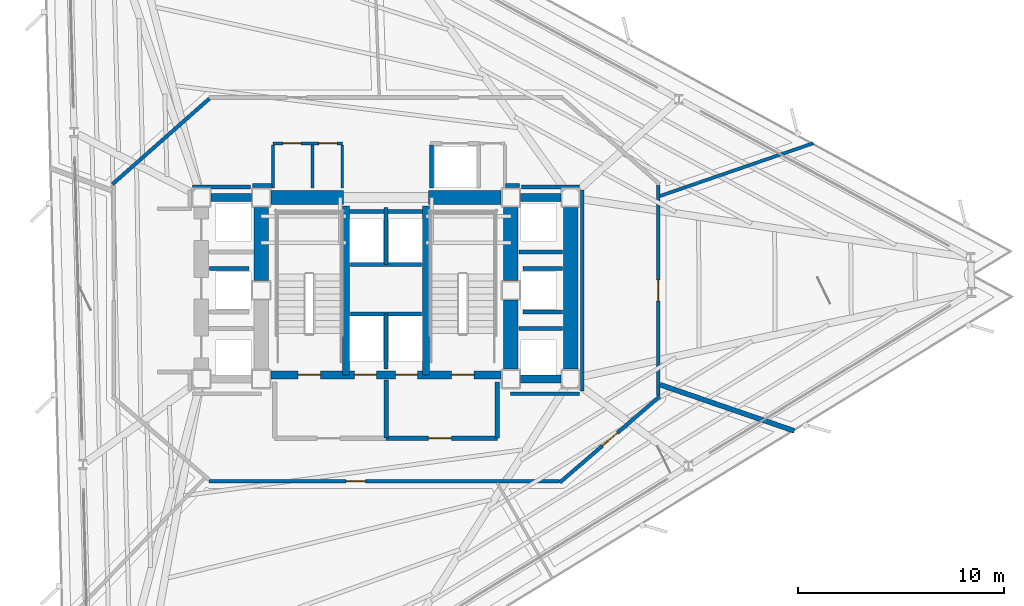
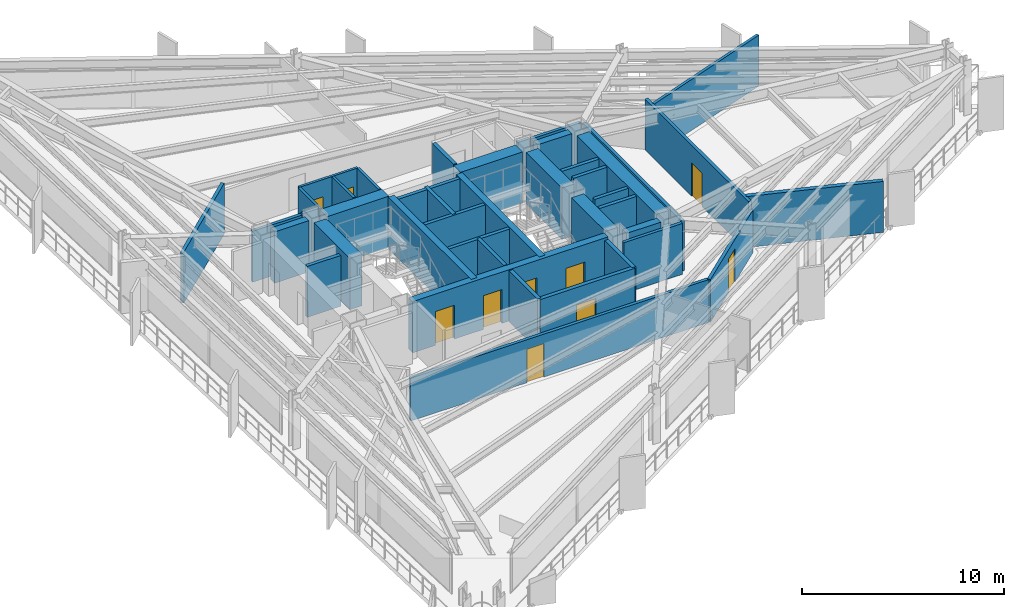
# One storey, part 8 of 14: 42 walls, 10 doors, 10 openings.
"""IFC4 building model written with IfcOpenShell, lengths in metres."""

import ifcopenshell
import ifcopenshell.guid

model = None  # the IFC model being written
_history = None  # IfcOwnerHistory: only IFC2X3 demands one
_inside = {}  # id of a spatial element -> (the spatial element, [elements in it])
_under = {}  # id of a project, library or spatial element -> (it, [spatial elements below it])
_declared = {}  # id of a project -> (the project, [libraries it declares])
_typed = {}  # id of a type object -> (the type object, [elements of that type])
_made_of = {}  # id of a material, layer set ... -> (it, [elements and type objects made of it])


def new_model(schema):
    """Start an empty IFC model of exactly this schema.

    Asked for "IFC4X3", IfcOpenShell would pick the latest addendum, in which some entities
    have other attributes; the version numbers below select the first issue.
    IFC2X3 requires an IfcOwnerHistory on every rooted entity: one is made here for all.
    """
    global model, _history
    if schema == "IFC4X3":
        model = ifcopenshell.file(schema_version=(4, 3, 0, 0))
    else:
        model = ifcopenshell.file(schema=schema)
    _inside.clear()
    _under.clear()
    _declared.clear()
    _typed.clear()
    _made_of.clear()
    _history = None
    if model.schema == "IFC2X3":
        org = make("IfcOrganization", Name="unknown")
        user = make(
            "IfcPersonAndOrganization",
            ThePerson=make("IfcPerson", FamilyName="unknown"),
            TheOrganization=org,
        )
        app = make(
            "IfcApplication",
            ApplicationDeveloper=org,
            Version="unknown",
            ApplicationFullName="unknown",
            ApplicationIdentifier="unknown",
        )
        _history = make(
            "IfcOwnerHistory",
            OwningUser=user,
            OwningApplication=app,
            ChangeAction="ADDED",
            CreationDate=0,
        )
    return model


def make(cls, **values):
    """One entity of the class cls with the attributes given. An attribute that is None is left unset."""
    return model.create_entity(
        cls, **{name: value for name, value in values.items() if value is not None}
    )


def rooted(cls, **values):
    """An entity with a GlobalId (a new one), such as an element, a storey or a relation."""
    return make(cls, GlobalId=ifcopenshell.guid.new(), OwnerHistory=_history, **values)


def si_unit(unit_type, name, prefix=None):
    """IfcSIUnit, for example si_unit("LENGTHUNIT", "METRE", prefix="MILLI")."""
    return make("IfcSIUnit", UnitType=unit_type, Prefix=prefix, Name=name)


def assignment(units):
    """IfcUnitAssignment: the units of a project."""
    return None if units is None else make("IfcUnitAssignment", Units=units)


def point(xyz):
    """IfcCartesianPoint."""
    return None if xyz is None else make("IfcCartesianPoint", Coordinates=xyz)


def direction(xyz):
    """IfcDirection."""
    return None if xyz is None else make("IfcDirection", DirectionRatios=xyz)


def frame(location, z_axis=None, x_axis=None):
    """IfcAxis2Placement3D, a coordinate frame: its origin and axes. An axis left out is left unset."""
    return make(
        "IfcAxis2Placement3D",
        Location=point(location),
        Axis=direction(z_axis),
        RefDirection=direction(x_axis),
    )


def frame_2d(location, x_axis=None):
    """IfcAxis2Placement2D, a coordinate frame in the plane: its origin and x axis."""
    return make(
        "IfcAxis2Placement2D", Location=point(location), RefDirection=direction(x_axis)
    )


def origin():
    """The frame at (0, 0, 0) with its axes left unset."""
    return frame((0.0, 0.0, 0.0))


def place(relative_to, where):
    """IfcLocalPlacement: puts the frame where relative to a parent placement (None: the world)."""
    return make(
        "IfcLocalPlacement", PlacementRelTo=relative_to, RelativePlacement=where
    )


def context(
    kind, dimensions, precision=None, world=None, true_north=None, identifier=None
):
    """IfcGeometricRepresentationContext, for example the 3D "Model" context."""
    return make(
        "IfcGeometricRepresentationContext",
        ContextIdentifier=identifier,
        ContextType=kind,
        CoordinateSpaceDimension=dimensions,
        Precision=precision,
        WorldCoordinateSystem=world,
        TrueNorth=true_north,
    )


def subcontext(parent, identifier, kind, view, scale=None):
    """IfcGeometricRepresentationSubContext, for example "Body" below "Model"."""
    return make(
        "IfcGeometricRepresentationSubContext",
        ContextIdentifier=identifier,
        ContextType=kind,
        ParentContext=parent,
        TargetScale=scale,
        TargetView=view,
    )


def project(units=None, contexts=None):
    """IfcProject with its units and contexts."""
    return rooted(
        "IfcProject",
        Name="project",
        RepresentationContexts=contexts,
        UnitsInContext=assignment(units),
    )


def spatial(cls, under=None, at=None, **own):
    """A site, building, storey or space (cls), placed at a placement, below another one or the project."""
    s = rooted(cls, ObjectPlacement=at, **own)
    if under is not None:
        _under.setdefault(under.id(), (under, []))[1].append(s)
    return s


def profile(cls, at=None, kind="AREA", **sizes):
    """A parametric profile (cls). Its sizes go by their IFC names, for example OverallWidth=200.0."""
    return make(cls, ProfileType=kind, Position=at, **sizes)


def rectangle(**sizes):
    """IfcRectangleProfileDef."""
    return profile("IfcRectangleProfileDef", **sizes)


def extrude(swept, where, along, depth):
    """IfcExtrudedAreaSolid: the profile swept, set in the frame where, extruded along a direction by depth."""
    return make(
        "IfcExtrudedAreaSolid",
        SweptArea=swept,
        Position=where,
        ExtrudedDirection=direction(along),
        Depth=depth,
    )


def shape(context_of_items, identifier, shape_type, items):
    """IfcShapeRepresentation: the items that make up one representation, for example the "Body"."""
    return make(
        "IfcShapeRepresentation",
        ContextOfItems=context_of_items,
        RepresentationIdentifier=identifier,
        RepresentationType=shape_type,
        Items=items,
    )


def material(Name=None, Category=None):
    """IfcMaterial."""
    return make("IfcMaterial", Name=Name, Category=Category)


def layer(
    of_material, thickness, ventilated=None, Name=None, Category=None, Priority=None
):
    """IfcMaterialLayer: one layer of a wall or slab, of a material (None: an air gap)."""
    return make(
        "IfcMaterialLayer",
        Material=of_material,
        LayerThickness=thickness,
        IsVentilated=ventilated,
        Name=Name,
        Category=Category,
        Priority=Priority,
    )


def layer_set(layers, Name=None):
    """IfcMaterialLayerSet."""
    return make("IfcMaterialLayerSet", MaterialLayers=layers, LayerSetName=Name)


def made_of(thing, what):
    """Note that an element or type object is made of a material, layer set ...; save() writes the relation."""
    if what is not None:
        _made_of.setdefault(what.id(), (what, []))[1].append(thing)
    return thing


def type_object(cls, material=None, **own):
    """A type object (cls), such as IfcWallType, which elements share."""
    return made_of(rooted(cls, **own), material)


def element(
    cls,
    number,
    at=None,
    inside=None,
    cuts=None,
    type_object=None,
    material=None,
    context=None,
    identifier="Body",
    shape_type=None,
    held_by="IfcProductDefinitionShape",
    body=None,
    shapes=None,
    **own,
):
    """One element of the class cls, such as IfcWall. Its Tag is "e" and its number.

    at: its placement. inside: the storey or other place that contains it. cuts: it is an
    opening in that element (IfcRelVoidsElement). A single representation is given by context,
    identifier, shape_type and body (its items); several are given by shapes. held_by: the class
    of the entity that holds the representations. save() writes the other relations.
    """
    e = rooted(cls, Tag="e%d" % number, ObjectPlacement=at, **own)
    if body is not None:
        shapes = [shape(context, identifier, shape_type, body)]
    if shapes is not None:
        e.Representation = make(held_by, Representations=shapes)
    if inside is not None:
        _inside.setdefault(inside.id(), (inside, []))[1].append(e)
    if cuts is not None:
        rooted(
            "IfcRelVoidsElement", RelatingBuildingElement=cuts, RelatedOpeningElement=e
        )
    if type_object is not None:
        _typed.setdefault(type_object.id(), (type_object, []))[1].append(e)
    return made_of(e, material)


def fill(opening, filler):
    """IfcRelFillsElement: the door or window that sits in an opening."""
    return rooted(
        "IfcRelFillsElement",
        RelatingOpeningElement=opening,
        RelatedBuildingElement=filler,
    )


def aggregate(whole, parts):
    """IfcRelAggregates: a whole, such as a stair, and the parts it consists of."""
    return rooted("IfcRelAggregates", RelatingObject=whole, RelatedObjects=parts)


def save(model, path):
    """Write the relations noted so far, then the file.

    IfcRelAggregates (storeys below a building ...), IfcRelContainedInSpatialStructure (elements
    in a storey), IfcRelDefinesByType, IfcRelAssociatesMaterial and IfcRelDeclares: one each for
    every whole, place, type object, material and project.
    """
    for whole, parts in _under.values():
        aggregate(whole, parts)
    for where, things in _inside.values():
        rooted(
            "IfcRelContainedInSpatialStructure",
            RelatedElements=things,
            RelatingStructure=where,
        )
    for kind, things in _typed.values():
        rooted("IfcRelDefinesByType", RelatedObjects=things, RelatingType=kind)
    for what, things in _made_of.values():
        rooted("IfcRelAssociatesMaterial", RelatedObjects=things, RelatingMaterial=what)
    for by, libraries in _declared.values():
        rooted("IfcRelDeclares", RelatingContext=by, RelatedDefinitions=libraries)
    model.write(path)


model = new_model("IFC4")

# Units and contexts
model_context = context("Model", 3, precision=1e-05, world=origin(), true_north=direction((0.0, 1.0)))
body_context = subcontext(model_context, "Body", "Model", "MODEL_VIEW")
ifc_project = project(units=[si_unit("LENGTHUNIT", "METRE"), si_unit("AREAUNIT", "SQUARE_METRE"), si_unit("VOLUMEUNIT", "CUBIC_METRE"), si_unit("PLANEANGLEUNIT", "RADIAN"), si_unit("MASSUNIT", "GRAM", prefix="KILO")], contexts=[model_context])

# Site, building, storey
site_placement = place(None, origin())
site = spatial("IfcSite", under=ifc_project, at=site_placement, CompositionType="ELEMENT")
building_placement = place(site_placement, origin())
building = spatial("IfcBuilding", under=site, at=building_placement, Name="Rocaltana Carrier Exchange", CompositionType="ELEMENT")
storey_placement = place(building_placement, frame((0.0, 0.0, 39.0400390625)))
storey = spatial("IfcBuildingStorey", under=building, at=storey_placement, Name="L12", CompositionType="ELEMENT", Elevation=39.0400390625)

# Walls
ifc_material_1 = material(Name="Double Acoustic Gypsum Partition", Category="gypsum")
ifc_layer_1 = layer(ifc_material_1, 0.159912109375)
ifc_layer_set_1 = layer_set([ifc_layer_1], Name="Double Acoustic Gypsum Partition")
wall_type_1 = type_object("IfcWallType", Name="Acoustic Studio Partition 160 EI60", PredefinedType="PARTITIONING", material=ifc_layer_set_1)
wall_1_placement = place(storey_placement, frame((13.280029296875, 4.57275390625, 0.0), z_axis=(0.0, 0.0, 1.0), x_axis=(0.94552490271, 0.325549778613, 0.0)))
element("IfcWall", 1, at=wall_1_placement, inside=storey, type_object=wall_type_1, Name="L12 Suite Divider Wall D4", PredefinedType="PARTITIONING", context=body_context, shape_type="SweptSolid", body=[
    extrude(rectangle(XDim=7.867431640625, YDim=0.159912109375, at=frame_2d((3.93359375, 0.0))), origin(), (0.0, 0.0, 1.0), 3.072998046875),
])
ifc_material_2 = material(Name="Concrete C50/60", Category="concrete")
ifc_layer_2 = layer(ifc_material_2, 0.35009765625)
ifc_layer_set_2 = layer_set([ifc_layer_2], Name="Concrete C50/60")
wall_type_2 = type_object("IfcWallType", Name="Core Internal Shear Wall 350", PredefinedType="SHEAR", material=ifc_layer_set_2)
for number, where, z_axis, x_axis, name in (
    (2, (-1.93994140625, -4.10009765625, 0.0), (0.0, 0.0, 1.0), (0.0, 1.0, 0.0), "L12 Core Shear Wall CW-STW"),
    (3, (1.93994140625, -4.10009765625, 0.0), (0.0, 0.0, 1.0), (0.0, 1.0, 0.0), "L12 Core Shear Wall CW-STE"),
):
    element("IfcWall", number, at=place(storey_placement, frame(where, z_axis=z_axis, x_axis=x_axis)), inside=storey, type_object=wall_type_2, Name=name, PredefinedType="SHEAR", context=body_context, shape_type="SweptSolid", body=[
        extrude(rectangle(XDim=8.2001953125, YDim=0.35009765625, at=frame_2d((4.10009765625, 0.0))), origin(), (0.0, 0.0, 1.0), 3.097900390625),
    ])

# Wall, openings, doors
ifc_material_3 = material(Name="Concrete C50/60", Category="concrete")
ifc_layer_3 = layer(ifc_material_3, 0.39990234375)
ifc_layer_set_3 = layer_set([ifc_layer_3], Name="Concrete C50/60")
wall_type_3 = type_object("IfcWallType", Name="Core Internal Shear Wall 400", PredefinedType="SHEAR", material=ifc_layer_set_3)
wall_2_placement = place(storey_placement, frame((-5.574951171875, -4.10009765625, 0.0), z_axis=(0.0, 0.0, 1.0), x_axis=(1.0, 0.0, 0.0)))
wall_2 = element("IfcWall", 4, at=wall_2_placement, inside=storey, type_object=wall_type_3, Name="L12 Core Shear Wall CW-S", PredefinedType="SHEAR", context=body_context, shape_type="SweptSolid", body=[
    extrude(rectangle(XDim=11.14990234375, YDim=0.39990234375, at=frame_2d((5.574951171875, 0.0))), origin(), (0.0, 0.0, 1.0), 3.097900390625),
])
opening_1_placement = place(wall_2_placement, frame((1.304931640625, 0.0, 0.0)))
opening_1 = element("IfcOpeningElement", 5, at=opening_1_placement, cuts=wall_2, Name="Opening D-ST110", PredefinedType="OPENING", context=body_context, shape_type="SweptSolid", body=[
    extrude(rectangle(XDim=1.10009765625, YDim=2.0400390625, at=frame_2d((0.550048828125, 1.02001953125))), frame((0.0, 0.2099609375, 0.0), z_axis=(0.0, -1.0, 0.0), x_axis=(1.0, 0.0, 0.0)), (0.0, 0.0, 1.0), 0.419921875),
])
opening_2_placement = place(wall_2_placement, frame((8.7451171875, 0.0, 0.0)))
opening_2 = element("IfcOpeningElement", 6, at=opening_2_placement, cuts=wall_2, Name="Opening D-ST110", PredefinedType="OPENING", context=body_context, shape_type="SweptSolid", body=[
    extrude(rectangle(XDim=1.10009765625, YDim=2.0400390625, at=frame_2d((0.550048828125, 1.02001953125))), frame((0.0, 0.2099609375, 0.0), z_axis=(0.0, -1.0, 0.0), x_axis=(1.0, 0.0, 0.0)), (0.0, 0.0, 1.0), 0.419921875),
])
opening_3_placement = place(wall_2_placement, frame((4.044921875, 0.0, 0.0)))
opening_3 = element("IfcOpeningElement", 7, at=opening_3_placement, cuts=wall_2, Name="Opening LD-110", PredefinedType="OPENING", context=body_context, shape_type="SweptSolid", body=[
    extrude(rectangle(XDim=1.06005859375, YDim=2.0400390625, at=frame_2d((0.530029296875, 1.02001953125))), frame((0.0, 0.2099609375, 0.0), z_axis=(0.0, -1.0, 0.0), x_axis=(1.0, 0.0, 0.0)), (0.0, 0.0, 1.0), 0.419921875),
])
opening_4_placement = place(wall_2_placement, frame((6.044921875, 0.0, 0.0)))
opening_4 = element("IfcOpeningElement", 8, at=opening_4_placement, cuts=wall_2, Name="Opening LD-110", PredefinedType="OPENING", context=body_context, shape_type="SweptSolid", body=[
    extrude(rectangle(XDim=1.06005859375, YDim=2.0400390625, at=frame_2d((0.530029296875, 1.02001953125))), frame((0.0, 0.2099609375, 0.0), z_axis=(0.0, -1.0, 0.0), x_axis=(1.0, 0.0, 0.0)), (0.0, 0.0, 1.0), 0.419921875),
])
ifc_material_4 = material(Name="Hollow Metal Fire Door Assembly", Category="steel")
door_type_1 = type_object("IfcDoorType", Name="Exit Stair Fire Door 1100x2040 FD90S", OperationType="NOTDEFINED", PredefinedType="DOOR", material=ifc_material_4)
door_1_placement = place(opening_1_placement, origin())
door_1 = element("IfcDoor", 9, at=door_1_placement, inside=storey, type_object=door_type_1, Name="L12 Exit Stair ST1 Fire Door", OperationType="SINGLE_SWING_LEFT", OverallHeight=2.0400390625, OverallWidth=1.10009765625, PredefinedType="DOOR", context=body_context, shape_type="SweptSolid", body=[
    extrude(rectangle(XDim=1.10009765625, YDim=2.0400390625, at=frame_2d((0.550048828125, 1.02001953125))), frame((0.0, 0.02490234375, 0.0), z_axis=(0.0, -1.0, 0.0), x_axis=(1.0, 0.0, 0.0)), (0.0, 0.0, 1.0), 0.050048828125),
])
fill(opening_1, door_1)
door_2_placement = place(opening_2_placement, origin())
door_2 = element("IfcDoor", 10, at=door_2_placement, inside=storey, type_object=door_type_1, Name="L12 Exit Stair ST2 Fire Door", OperationType="SINGLE_SWING_RIGHT", OverallHeight=2.0400390625, OverallWidth=1.10009765625, PredefinedType="DOOR", context=body_context, shape_type="SweptSolid", body=[
    extrude(rectangle(XDim=1.10009765625, YDim=2.0400390625, at=frame_2d((0.550048828125, 1.02001953125))), frame((0.0, 0.02490234375, 0.0), z_axis=(0.0, -1.0, 0.0), x_axis=(1.0, 0.0, 0.0)), (0.0, 0.0, 1.0), 0.050048828125),
])
fill(opening_2, door_2)
ifc_material_5 = material(Name="Brushed Stainless Sliding Door Leaf", Category="steel")
door_type_2 = type_object("IfcDoorType", Name="Lift Landing Sliding Door 1060x2040", OperationType="NOTDEFINED", PredefinedType="DOOR", material=ifc_material_5)
door_3_placement = place(opening_3_placement, origin())
door_3 = element("IfcDoor", 11, at=door_3_placement, inside=storey, type_object=door_type_2, Name="L12 Firefighting Lift FFL1 Landing Door", OperationType="SLIDING_TO_LEFT", OverallHeight=2.0400390625, OverallWidth=1.06005859375, PredefinedType="DOOR", context=body_context, shape_type="SweptSolid", body=[
    extrude(rectangle(XDim=1.06005859375, YDim=2.0400390625, at=frame_2d((0.530029296875, 1.02001953125))), frame((0.0, 0.02490234375, 0.0), z_axis=(0.0, -1.0, 0.0), x_axis=(1.0, 0.0, 0.0)), (0.0, 0.0, 1.0), 0.050048828125),
])
fill(opening_3, door_3)
door_4_placement = place(opening_4_placement, origin())
door_4 = element("IfcDoor", 12, at=door_4_placement, inside=storey, type_object=door_type_2, Name="L12 Firefighting Lift FFL2 Landing Door", OperationType="SLIDING_TO_RIGHT", OverallHeight=2.0400390625, OverallWidth=1.06005859375, PredefinedType="DOOR", context=body_context, shape_type="SweptSolid", body=[
    extrude(rectangle(XDim=1.06005859375, YDim=2.0400390625, at=frame_2d((0.530029296875, 1.02001953125))), frame((0.0, 0.02490234375, 0.0), z_axis=(0.0, -1.0, 0.0), x_axis=(1.0, 0.0, 0.0)), (0.0, 0.0, 1.0), 0.050048828125),
])
fill(opening_4, door_4)

# Walls
for number, where, z_axis, x_axis, name in (
    (13, (-8.47509765625, 4.5, 0.0), (0.0, 0.0, 1.0), (1.0, 0.0, 0.0), "L12 Core Shear Wall CW-WWN"),
    (14, (6.52490234375, 4.5, 0.0), (0.0, 0.0, 1.0), (1.0, 0.0, 0.0), "L12 Core Shear Wall CW-EWN"),
    (15, (6.52490234375, -4.300048828125, 0.0), (0.0, 0.0, 1.0), (1.0, 0.0, 0.0), "L12 Core Shear Wall CW-EWS"),
):
    element("IfcWall", number, at=place(storey_placement, frame(where, z_axis=z_axis, x_axis=x_axis)), inside=storey, type_object=wall_type_3, Name=name, PredefinedType="SHEAR", context=body_context, shape_type="SweptSolid", body=[
        extrude(rectangle(XDim=1.9501953125, YDim=0.39990234375, at=frame_2d((0.97509765625, 0.0))), origin(), (0.0, 0.0, 1.0), 3.097900390625),
    ])
ifc_material_6 = material(Name="Concrete C60/75", Category="concrete")
ifc_layer_4 = layer(ifc_material_6, 0.699951171875)
ifc_layer_set_4 = layer_set([ifc_layer_4], Name="Concrete C60/75")
wall_type_4 = type_object("IfcWallType", Name="Core Shear Wall 700", PredefinedType="SHEAR", material=ifc_layer_set_4)
for number, where, z_axis, x_axis, name in (
    (16, (-6.050048828125, 0.47509765625, 0.0), (0.0, 0.0, 1.0), (0.0, 1.0, 0.0), "L12 Core Shear Wall CW-WN"),
    (17, (6.050048828125, 0.47509765625, 0.0), (0.0, 0.0, 1.0), (0.0, 1.0, 0.0), "L12 Core Shear Wall CW-EN"),
):
    element("IfcWall", number, at=place(storey_placement, frame(where, z_axis=z_axis, x_axis=x_axis)), inside=storey, type_object=wall_type_4, Name=name, PredefinedType="SHEAR", context=body_context, shape_type="SweptSolid", body=[
        extrude(rectangle(XDim=3.5498046875, YDim=0.699951171875, at=frame_2d((1.77490234375, 0.0))), origin(), (0.0, 0.0, 1.0), 3.097900390625),
    ])
wall_3_placement = place(storey_placement, frame((6.050048828125, -3.824951171875, 0.0), z_axis=(0.0, 0.0, 1.0), x_axis=(0.0, 1.0, 0.0)))
element("IfcWall", 18, at=wall_3_placement, inside=storey, type_object=wall_type_4, Name="L12 Core Shear Wall CW-ES", PredefinedType="SHEAR", context=body_context, shape_type="SweptSolid", body=[
    extrude(rectangle(XDim=3.349853515625, YDim=0.699951171875, at=frame_2d((1.6748046875, 0.0))), origin(), (0.0, 0.0, 1.0), 3.097900390625),
])
for number, where, z_axis, x_axis, name in (
    (19, (-5.574951171875, 4.5, 0.0), (0.0, 0.0, 1.0), (1.0, 0.0, 0.0), "L12 Core Shear Wall CW-N1"),
    (20, (2.050048828125, 4.5, 0.0), (0.0, 0.0, 1.0), (1.0, 0.0, 0.0), "L12 Core Shear Wall CW-N2"),
):
    element("IfcWall", number, at=place(storey_placement, frame(where, z_axis=z_axis, x_axis=x_axis)), inside=storey, type_object=wall_type_4, Name=name, PredefinedType="SHEAR", context=body_context, shape_type="SweptSolid", body=[
        extrude(rectangle(XDim=3.52490234375, YDim=0.699951171875, at=frame_2d((1.762451171875, 0.0))), origin(), (0.0, 0.0, 1.0), 3.097900390625),
    ])
wall_4_placement = place(storey_placement, frame((8.949951171875, -3.824951171875, 0.0), z_axis=(0.0, 0.0, 1.0), x_axis=(0.0, 1.0, 0.0)))
element("IfcWall", 21, at=wall_4_placement, inside=storey, type_object=wall_type_4, Name="L12 Core Shear Wall CW-EW", PredefinedType="SHEAR", context=body_context, shape_type="SweptSolid", body=[
    extrude(rectangle(XDim=7.849853515625, YDim=0.699951171875, at=frame_2d((3.9248046875, 0.0))), origin(), (0.0, 0.0, 1.0), 3.097900390625),
])

# Wall, opening, door
ifc_material_7 = material(Name="Gypsum & Steel Stud Partition", Category="steel")
ifc_layer_5 = layer(ifc_material_7, 0.179931640625)
ifc_layer_set_5 = layer_set([ifc_layer_5], Name="Gypsum & Steel Stud Partition")
wall_type_5 = type_object("IfcWallType", Name="Corridor Fire Partition 180 EI60", PredefinedType="PARTITIONING", material=ifc_layer_set_5)
wall_5_placement = place(storey_placement, frame((13.199951171875, 5.110107421875, 0.0), z_axis=(0.0, 0.0, 1.0), x_axis=(0.0, -1.0, 0.0)))
wall_5 = element("IfcWall", 22, at=wall_5_placement, inside=storey, type_object=wall_type_5, Name="L12 Corridor Partition 3", PredefinedType="PARTITIONING", context=body_context, shape_type="SweptSolid", body=[
    extrude(rectangle(XDim=10.22021484375, YDim=0.179931640625, at=frame_2d((5.110107421875, 0.0))), origin(), (0.0, 0.0, 1.0), 3.072998046875),
])
opening_5_placement = place(wall_5_placement, frame((4.60009765625, 0.0, 0.0)))
opening_5 = element("IfcOpeningElement", 23, at=opening_5_placement, cuts=wall_5, Name="Opening D-LB104", PredefinedType="OPENING", context=body_context, shape_type="SweptSolid", body=[
    extrude(rectangle(XDim=1.02001953125, YDim=2.02001953125, at=frame_2d((0.510009765625, 1.010009765625))), frame((0.0, 0.099853515625, 0.0), z_axis=(0.0, -1.0, 0.0), x_axis=(1.0, 0.0, 0.0)), (0.0, 0.0, 1.0), 0.199951171875),
])
ifc_material_8 = material(Name="Powder-Coated Aluminium 6063-T6", Category="aluminium")
door_type_3 = type_object("IfcDoorType", Name="Laboratory Acoustic Door 1020x2020", OperationType="NOTDEFINED", PredefinedType="DOOR", material=ifc_material_8)
door_5_placement = place(opening_5_placement, origin())
door_5 = element("IfcDoor", 24, at=door_5_placement, inside=storey, type_object=door_type_3, Name="L12 Optical Switching Laboratory Entrance Door", OperationType="SINGLE_SWING_LEFT", OverallHeight=2.02001953125, OverallWidth=1.02001953125, PredefinedType="DOOR", context=body_context, shape_type="SweptSolid", body=[
    extrude(rectangle(XDim=1.02001953125, YDim=2.02001953125, at=frame_2d((0.510009765625, 1.010009765625))), frame((0.0, 0.02490234375, 0.0), z_axis=(0.0, -1.0, 0.0), x_axis=(1.0, 0.0, 0.0)), (0.0, 0.0, 1.0), 0.050048828125),
])
fill(opening_5, door_5)

wall_6_placement = place(storey_placement, frame((13.268310546875, -5.14111328125, 0.0), z_axis=(0.0, 0.0, 1.0), x_axis=(-0.757534501725, -0.65279512766, 0.0)))
wall_6 = element("IfcWall", 25, at=wall_6_placement, inside=storey, type_object=wall_type_5, Name="L12 Corridor Partition 4", PredefinedType="PARTITIONING", context=body_context, shape_type="SweptSolid", body=[
    extrude(rectangle(XDim=6.384521484375, YDim=0.179931640625, at=frame_2d((3.1923828125, 0.0))), origin(), (0.0, 0.0, 1.0), 2.5869140625),
])
opening_6_placement = place(wall_6_placement, frame((2.712158203125, 0.0, 0.0)))
opening_6 = element("IfcOpeningElement", 26, at=opening_6_placement, cuts=wall_6, Name="Opening D-RM098", PredefinedType="OPENING", context=body_context, shape_type="SweptSolid", body=[
    extrude(rectangle(XDim=0.9599609375, YDim=2.02001953125, at=frame_2d((0.47998046875, 1.010009765625))), frame((0.0, 0.099853515625, 0.0), z_axis=(0.0, -1.0, 0.0), x_axis=(1.0, 0.0, 0.0)), (0.0, 0.0, 1.0), 0.199951171875),
])
ifc_material_9 = material(Name="Engineered Hardwood Timber", Category="wood")
door_type_4 = type_object("IfcDoorType", Name="Workspace Single Door 960x2020", OperationType="NOTDEFINED", PredefinedType="DOOR", material=ifc_material_9)
door_6_placement = place(opening_6_placement, origin())
door_6 = element("IfcDoor", 27, at=door_6_placement, inside=storey, type_object=door_type_4, Name="L12 Cloud Architecture Office Entrance Door", OperationType="SINGLE_SWING_RIGHT", OverallHeight=2.02001953125, OverallWidth=0.9599609375, PredefinedType="DOOR", context=body_context, shape_type="SweptSolid", body=[
    extrude(rectangle(XDim=0.9599609375, YDim=2.02001953125, at=frame_2d((0.47998046875, 1.010009765625))), frame((0.0, 0.02490234375, 0.0), z_axis=(0.0, -1.0, 0.0), x_axis=(1.0, 0.0, 0.0)), (0.0, 0.0, 1.0), 0.050048828125),
])
fill(opening_6, door_6)

wall_7_placement = place(storey_placement, frame((8.409912109375, -9.25, 0.0), z_axis=(0.0, 0.0, 1.0), x_axis=(-1.0, 0.0, 0.0)))
wall_7 = element("IfcWall", 28, at=wall_7_placement, inside=storey, type_object=wall_type_5, Name="L12 Corridor Partition 5", PredefinedType="PARTITIONING", context=body_context, shape_type="SweptSolid", body=[
    extrude(rectangle(XDim=17.0, YDim=0.179931640625, at=frame_2d((8.5, 0.0))), origin(), (0.0, 0.0, 1.0), 2.5869140625),
])
opening_7_placement = place(wall_7_placement, frame((9.39892578125, 0.0, 0.0)))
opening_7 = element("IfcOpeningElement", 29, at=opening_7_placement, cuts=wall_7, Name="Opening D-RM098", PredefinedType="OPENING", context=body_context, shape_type="SweptSolid", body=[
    extrude(rectangle(XDim=0.9599609375, YDim=2.02001953125, at=frame_2d((0.47998046875, 1.010009765625))), frame((0.0, 0.099853515625, 0.0), z_axis=(0.0, -1.0, 0.0), x_axis=(1.0, 0.0, 0.0)), (0.0, 0.0, 1.0), 0.199951171875),
])
door_7_placement = place(opening_7_placement, origin())
door_7 = element("IfcDoor", 30, at=door_7_placement, inside=storey, type_object=door_type_4, Name="L12 Quiet Focus Lounge Entrance Door", OperationType="SINGLE_SWING_LEFT", OverallHeight=2.02001953125, OverallWidth=0.9599609375, PredefinedType="DOOR", context=body_context, shape_type="SweptSolid", body=[
    extrude(rectangle(XDim=0.9599609375, YDim=2.02001953125, at=frame_2d((0.47998046875, 1.010009765625))), frame((0.0, 0.02490234375, 0.0), z_axis=(0.0, -1.0, 0.0), x_axis=(1.0, 0.0, 0.0)), (0.0, 0.0, 1.0), 0.050048828125),
])
fill(opening_7, door_7)

# Walls
wall_8_placement = place(storey_placement, frame((-13.267578125, 5.140380859375, 0.0), z_axis=(0.0, 0.0, 1.0), x_axis=(0.749626463267, 0.66186113768, 0.0)))
element("IfcWall", 31, at=wall_8_placement, inside=storey, type_object=wall_type_5, Name="L12 Corridor Partition 8", PredefinedType="PARTITIONING", context=body_context, shape_type="SweptSolid", body=[
    extrude(rectangle(XDim=6.27001953125, YDim=0.179931640625, at=frame_2d((3.135009765625, 0.0))), origin(), (0.0, 0.0, 1.0), 3.072998046875),
])
wall_9_placement = place(storey_placement, frame((6.030029296875, -5.010009765625, 0.0), z_axis=(0.0, 0.0, 1.0), x_axis=(1.0, 0.0, 0.0)))
element("IfcWall", 32, at=wall_9_placement, inside=storey, type_object=wall_type_5, Name="L12 Corridor Partition 16", PredefinedType="PARTITIONING", context=body_context, shape_type="SweptSolid", body=[
    extrude(rectangle(XDim=3.340087890625, YDim=0.179931640625, at=frame_2d((1.669921875, 0.0))), origin(), (0.0, 0.0, 1.0), 3.072998046875),
])
wall_10_placement = place(storey_placement, frame((9.510009765625, -4.8701171875, 0.0), z_axis=(0.0, 0.0, 1.0), x_axis=(0.0, 1.0, 0.0)))
element("IfcWall", 33, at=wall_10_placement, inside=storey, type_object=wall_type_5, Name="L12 Corridor Partition 17", PredefinedType="PARTITIONING", context=body_context, shape_type="SweptSolid", body=[
    extrude(rectangle(XDim=9.740234375, YDim=0.179931640625, at=frame_2d((4.8701171875, 0.0))), origin(), (0.0, 0.0, 1.0), 3.072998046875),
])
wall_11_placement = place(storey_placement, frame((9.3701171875, 5.010009765625, 0.0), z_axis=(0.0, 0.0, 1.0), x_axis=(-1.0, 0.0, 0.0)))
element("IfcWall", 34, at=wall_11_placement, inside=storey, type_object=wall_type_5, Name="L12 Corridor Partition 18", PredefinedType="PARTITIONING", context=body_context, shape_type="SweptSolid", body=[
    extrude(rectangle(XDim=2.807861328125, YDim=0.179931640625, at=frame_2d((1.40380859375, 0.0))), origin(), (0.0, 0.0, 1.0), 3.072998046875),
])
wall_12_placement = place(storey_placement, frame((6.469970703125, 5.080078125, 0.0), z_axis=(0.0, 0.0, 1.0), x_axis=(-1.0, 0.0, 0.0)))
element("IfcWall", 35, at=wall_12_placement, inside=storey, type_object=wall_type_5, Name="L12 Corridor Partition 19", PredefinedType="PARTITIONING", context=body_context, shape_type="SweptSolid", body=[
    extrude(rectangle(XDim=0.679931640625, YDim=0.179931640625, at=frame_2d((0.33984375, 0.0))), origin(), (0.0, 0.0, 1.0), 3.072998046875),
])
wall_13_placement = place(storey_placement, frame((-5.52001953125, 5.080078125, 0.0), z_axis=(0.0, 0.0, 1.0), x_axis=(-1.0, 0.0, 0.0)))
element("IfcWall", 36, at=wall_13_placement, inside=storey, type_object=wall_type_5, Name="L12 Corridor Partition 22", PredefinedType="PARTITIONING", context=body_context, shape_type="SweptSolid", body=[
    extrude(rectangle(XDim=0.949951171875, YDim=0.179931640625, at=frame_2d((0.47509765625, 0.0))), origin(), (0.0, 0.0, 1.0), 3.072998046875),
])
wall_14_placement = place(storey_placement, frame((-6.562255859375, 5.010009765625, 0.0), z_axis=(0.0, 0.0, 1.0), x_axis=(-1.0, 0.0, 0.0)))
element("IfcWall", 37, at=wall_14_placement, inside=storey, type_object=wall_type_5, Name="L12 Corridor Partition 23", PredefinedType="PARTITIONING", context=body_context, shape_type="SweptSolid", body=[
    extrude(rectangle(XDim=2.807861328125, YDim=0.179931640625, at=frame_2d((1.40380859375, 0.0))), origin(), (0.0, 0.0, 1.0), 3.072998046875),
])
ifc_material_10 = material(Name="Autoclaved Aerated Concrete C30/37", Category="concrete")
ifc_layer_6 = layer(ifc_material_10, 0.219970703125)
ifc_layer_set_6 = layer_set([ifc_layer_6], Name="Autoclaved Aerated Concrete C30/37")
wall_type_6 = type_object("IfcWallType", Name="Firefighting Lobby Wall 220 EI120", PredefinedType="PARTITIONING", material=ifc_layer_set_6)
wall_15_placement = place(storey_placement, frame((5.39990234375, -7.159912109375, 0.0), z_axis=(0.0, 0.0, 1.0), x_axis=(0.0, 1.0, 0.0)))
element("IfcWall", 38, at=wall_15_placement, inside=storey, type_object=wall_type_6, Name="L12 FFL Lobby 2 East Wall", PredefinedType="PARTITIONING", context=body_context, shape_type="SweptSolid", body=[
    extrude(rectangle(XDim=2.7099609375, YDim=0.219970703125, at=frame_2d((1.35498046875, 0.0))), origin(), (0.0, 0.0, 1.0), 3.072998046875),
])
wall_16_placement = place(storey_placement, frame((0.0, -7.159912109375, 0.0), z_axis=(0.0, 0.0, 1.0), x_axis=(0.0, 1.0, 0.0)))
element("IfcWall", 39, at=wall_16_placement, inside=storey, type_object=wall_type_6, Name="L12 FFL Lobby Centre Wall", PredefinedType="PARTITIONING", context=body_context, shape_type="SweptSolid", body=[
    extrude(rectangle(XDim=2.809814453125, YDim=0.219970703125, at=frame_2d((1.40478515625, 0.0))), origin(), (0.0, 0.0, 1.0), 3.072998046875),
])

# Wall, opening, door
wall_17_placement = place(storey_placement, frame((0.0, -7.159912109375, 0.0), z_axis=(0.0, 0.0, 1.0), x_axis=(1.0, 0.0, 0.0)))
wall_17 = element("IfcWall", 40, at=wall_17_placement, inside=storey, type_object=wall_type_6, Name="L12 FFL Lobby 2 South Wall", PredefinedType="PARTITIONING", context=body_context, shape_type="SweptSolid", body=[
    extrude(rectangle(XDim=5.39990234375, YDim=0.219970703125, at=frame_2d((2.699951171875, 0.0))), origin(), (0.0, 0.0, 1.0), 3.072998046875),
])
opening_8_placement = place(wall_17_placement, frame((2.050048828125, 0.0, 0.0)))
opening_8 = element("IfcOpeningElement", 41, at=opening_8_placement, cuts=wall_17, Name="Opening D-FF115", PredefinedType="OPENING", context=body_context, shape_type="SweptSolid", body=[
    extrude(rectangle(XDim=1.1201171875, YDim=2.02001953125, at=frame_2d((0.56005859375, 1.010009765625))), frame((0.0, 0.119873046875, 0.0), z_axis=(0.0, -1.0, 0.0), x_axis=(1.0, 0.0, 0.0)), (0.0, 0.0, 1.0), 0.239990234375),
])
ifc_material_11 = material(Name="Hollow Metal Fire Door Assembly", Category="steel")
door_type_5 = type_object("IfcDoorType", Name="Firefighting Lobby Door 1120x2020 FD60S", OperationType="NOTDEFINED", PredefinedType="DOOR", material=ifc_material_11)
door_8_placement = place(opening_8_placement, origin())
door_8 = element("IfcDoor", 42, at=door_8_placement, inside=storey, type_object=door_type_5, Name="L12 Firefighting Lift Lobby 2 Door", OperationType="SINGLE_SWING_RIGHT", OverallHeight=2.02001953125, OverallWidth=1.1201171875, PredefinedType="DOOR", context=body_context, shape_type="SweptSolid", body=[
    extrude(rectangle(XDim=1.1201171875, YDim=2.02001953125, at=frame_2d((0.56005859375, 1.010009765625))), frame((0.0, 0.02490234375, 0.0), z_axis=(0.0, -1.0, 0.0), x_axis=(1.0, 0.0, 0.0)), (0.0, 0.0, 1.0), 0.050048828125),
])
fill(opening_8, door_8)

# Walls
ifc_material_12 = material(Name="Acoustic Calcium Silicate Partition", Category="gypsum")
ifc_layer_7 = layer(ifc_material_12, 0.239990234375)
ifc_layer_set_7 = layer_set([ifc_layer_7], Name="Acoustic Calcium Silicate Partition")
wall_type_7 = type_object("IfcWallType", Name="Heavy Lab Partition 240 EI90", PredefinedType="PARTITIONING", material=ifc_layer_set_7)
wall_18_placement = place(storey_placement, frame((13.280029296875, -4.57275390625, 0.0), z_axis=(0.0, 0.0, 1.0), x_axis=(0.945516314602, -0.325574720797, 0.0)))
element("IfcWall", 43, at=wall_18_placement, inside=storey, type_object=wall_type_7, Name="L12 Suite Divider Wall D3", PredefinedType="PARTITIONING", context=body_context, shape_type="SweptSolid", body=[
    extrude(rectangle(XDim=6.89208984375, YDim=0.239990234375, at=frame_2d((3.446044921875, 0.0))), origin(), (0.0, 0.0, 1.0), 3.072998046875),
])
ifc_material_13 = material(Name="Reinforced Concrete Block C35/45", Category="concrete")
ifc_layer_8 = layer(ifc_material_13, 0.199951171875)
ifc_layer_set_8 = layer_set([ifc_layer_8], Name="Reinforced Concrete Block C35/45")
wall_type_8 = type_object("IfcWallType", Name="Lift Hoistway Enclosure Wall 200 EI120", PredefinedType="PARTITIONING", material=ifc_layer_set_8)
wall_19_placement = place(storey_placement, frame((0.0, -3.820068359375, 0.0), z_axis=(0.0, 0.0, 1.0), x_axis=(0.0, 1.0, 0.0)))
element("IfcWall", 44, at=wall_19_placement, inside=storey, type_object=wall_type_8, Name="L12 FFL Shaft Divider", PredefinedType="PARTITIONING", context=body_context, shape_type="SweptSolid", body=[
    extrude(rectangle(XDim=2.670166015625, YDim=0.199951171875, at=frame_2d((1.3349609375, 0.0))), origin(), (0.0, 0.0, 1.0), 3.072998046875),
])
wall_20_placement = place(storey_placement, frame((-1.719970703125, -1.14990234375, 0.0), z_axis=(0.0, 0.0, 1.0), x_axis=(1.0, 0.0, 0.0)))
element("IfcWall", 45, at=wall_20_placement, inside=storey, type_object=wall_type_8, Name="L12 FFL Shaft Back Wall", PredefinedType="PARTITIONING", context=body_context, shape_type="SweptSolid", body=[
    extrude(rectangle(XDim=3.43994140625, YDim=0.199951171875, at=frame_2d((1.719970703125, 0.0))), origin(), (0.0, 0.0, 1.0), 3.072998046875),
])
wall_21_placement = place(storey_placement, frame((0.0, 1.25, 0.0), z_axis=(0.0, 0.0, 1.0), x_axis=(0.0, 1.0, 0.0)))
element("IfcWall", 46, at=wall_21_placement, inside=storey, type_object=wall_type_8, Name="L12 High-Rise Shaft Divider", PredefinedType="PARTITIONING", context=body_context, shape_type="SweptSolid", body=[
    extrude(rectangle(XDim=2.77001953125, YDim=0.199951171875, at=frame_2d((1.385009765625, 0.0))), origin(), (0.0, 0.0, 1.0), 3.072998046875),
])
wall_22_placement = place(storey_placement, frame((-1.719970703125, 1.25, 0.0), z_axis=(0.0, 0.0, 1.0), x_axis=(1.0, 0.0, 0.0)))
element("IfcWall", 47, at=wall_22_placement, inside=storey, type_object=wall_type_8, Name="L12 High-Rise Shaft Back Wall", PredefinedType="PARTITIONING", context=body_context, shape_type="SweptSolid", body=[
    extrude(rectangle(XDim=3.43994140625, YDim=0.199951171875, at=frame_2d((1.719970703125, 0.0))), origin(), (0.0, 0.0, 1.0), 3.072998046875),
])
wall_23_placement = place(storey_placement, frame((-1.760009765625, 3.820068359375, 0.0), z_axis=(0.0, 0.0, 1.0), x_axis=(1.0, 0.0, 0.0)))
element("IfcWall", 48, at=wall_23_placement, inside=storey, type_object=wall_type_8, Name="L12 High-Rise Lift Front Wall", PredefinedType="PARTITIONING", context=body_context, shape_type="SweptSolid", body=[
    extrude(rectangle(XDim=3.52001953125, YDim=0.199951171875, at=frame_2d((1.760009765625, 0.0))), origin(), (0.0, 0.0, 1.0), 3.072998046875),
])
wall_24_placement = place(storey_placement, frame((2.199951171875, 4.949951171875, 0.0), z_axis=(0.0, 0.0, 1.0), x_axis=(0.0, 1.0, 0.0)))
element("IfcWall", 49, at=wall_24_placement, inside=storey, type_object=wall_type_8, Name="L12 Goods Lift West Wall", PredefinedType="PARTITIONING", context=body_context, shape_type="SweptSolid", body=[
    extrude(rectangle(XDim=2.10009765625, YDim=0.199951171875, at=frame_2d((1.050048828125, 0.0))), origin(), (0.0, 0.0, 1.0), 3.072998046875),
])
wall_25_placement = place(storey_placement, frame((-8.550048828125, 1.050048828125, 0.0), z_axis=(0.0, 0.0, 1.0), x_axis=(1.0, 0.0, 0.0)))
element("IfcWall", 50, at=wall_25_placement, inside=storey, type_object=wall_type_8, Name="L12 Low-Rise Center Shaft Wall North", PredefinedType="PARTITIONING", context=body_context, shape_type="SweptSolid", body=[
    extrude(rectangle(XDim=1.91015625, YDim=0.199951171875, at=frame_2d((0.955078125, 0.0))), origin(), (0.0, 0.0, 1.0), 3.072998046875),
])
for number, where, z_axis, x_axis, name in (
    (51, (6.449951171875, -1.85009765625, 0.0), (0.0, 0.0, 1.0), (1.0, 0.0, 0.0), "L12 Mid-Rise Shaft Divider 1"),
    (52, (6.449951171875, 1.85009765625, 0.0), (0.0, 0.0, 1.0), (1.0, 0.0, 0.0), "L12 Mid-Rise Shaft Divider 2"),
):
    element("IfcWall", number, at=place(storey_placement, frame(where, z_axis=z_axis, x_axis=x_axis)), inside=storey, type_object=wall_type_8, Name=name, PredefinedType="PARTITIONING", context=body_context, shape_type="SweptSolid", body=[
        extrude(rectangle(XDim=2.10009765625, YDim=0.199951171875, at=frame_2d((1.050048828125, 0.0))), origin(), (0.0, 0.0, 1.0), 3.072998046875),
    ])
for number, where, z_axis, x_axis, name in (
    (53, (6.639892578125, -1.050048828125, 0.0), (0.0, 0.0, 1.0), (1.0, 0.0, 0.0), "L12 Mid-Rise Center Shaft Wall South"),
    (54, (6.639892578125, 1.050048828125, 0.0), (0.0, 0.0, 1.0), (1.0, 0.0, 0.0), "L12 Mid-Rise Center Shaft Wall North"),
):
    element("IfcWall", number, at=place(storey_placement, frame(where, z_axis=z_axis, x_axis=x_axis)), inside=storey, type_object=wall_type_8, Name=name, PredefinedType="PARTITIONING", context=body_context, shape_type="SweptSolid", body=[
        extrude(rectangle(XDim=1.91015625, YDim=0.199951171875, at=frame_2d((0.955078125, 0.0))), origin(), (0.0, 0.0, 1.0), 3.072998046875),
    ])
ifc_material_14 = material(Name="Moisture-Resistant Masonry C30/37", Category="masonry")
ifc_layer_9 = layer(ifc_material_14, 0.139892578125)
ifc_layer_set_9 = layer_set([ifc_layer_9], Name="Moisture-Resistant Masonry C30/37")
wall_type_9 = type_object("IfcWallType", Name="Wet-Area Sanitary Partition 140", PredefinedType="PARTITIONING", material=ifc_layer_set_9)
for number, where, z_axis, x_axis, name in (
    (55, (-5.47998046875, 4.949951171875, 0.0), (0.0, 0.0, 1.0), (0.0, 1.0, 0.0), "L12 Sanitary West Wall"),
    (56, (-3.56005859375, 4.949951171875, 0.0), (0.0, 0.0, 1.0), (0.0, 1.0, 0.0), "L12 Sanitary Divider"),
    (57, (-2.1201171875, 4.949951171875, 0.0), (0.0, 0.0, 1.0), (0.0, 1.0, 0.0), "L12 Sanitary East Wall"),
):
    element("IfcWall", number, at=place(storey_placement, frame(where, z_axis=z_axis, x_axis=x_axis)), inside=storey, type_object=wall_type_9, Name=name, PredefinedType="PARTITIONING", context=body_context, shape_type="SweptSolid", body=[
        extrude(rectangle(XDim=2.10009765625, YDim=0.139892578125, at=frame_2d((1.050048828125, 0.0))), origin(), (0.0, 0.0, 1.0), 3.072998046875),
    ])

# Wall, openings, doors
wall_26_placement = place(storey_placement, frame((-5.47998046875, 7.1201171875, 0.0), z_axis=(0.0, 0.0, 1.0), x_axis=(1.0, 0.0, 0.0)))
wall_26 = element("IfcWall", 58, at=wall_26_placement, inside=storey, type_object=wall_type_9, Name="L12 Sanitary North Wall", PredefinedType="PARTITIONING", context=body_context, shape_type="SweptSolid", body=[
    extrude(rectangle(XDim=3.35986328125, YDim=0.139892578125, at=frame_2d((1.679931640625, 0.0))), origin(), (0.0, 0.0, 1.0), 3.072998046875),
])
opening_9_placement = place(wall_26_placement, frame((0.47998046875, 0.0, 0.0)))
opening_9 = element("IfcOpeningElement", 59, at=opening_9_placement, cuts=wall_26, Name="Opening D-WC090", PredefinedType="OPENING", context=body_context, shape_type="SweptSolid", body=[
    extrude(rectangle(XDim=0.8798828125, YDim=2.02001953125, at=frame_2d((0.43994140625, 1.010009765625))), frame((0.0, 0.079833984375, 0.0), z_axis=(0.0, -1.0, 0.0), x_axis=(1.0, 0.0, 0.0)), (0.0, 0.0, 1.0), 0.159912109375),
])
opening_10_placement = place(wall_26_placement, frame((2.219970703125, 0.0, 0.0)))
opening_10 = element("IfcOpeningElement", 60, at=opening_10_placement, cuts=wall_26, Name="Opening D-WC090", PredefinedType="OPENING", context=body_context, shape_type="SweptSolid", body=[
    extrude(rectangle(XDim=0.8798828125, YDim=2.02001953125, at=frame_2d((0.43994140625, 1.010009765625))), frame((0.0, 0.079833984375, 0.0), z_axis=(0.0, -1.0, 0.0), x_axis=(1.0, 0.0, 0.0)), (0.0, 0.0, 1.0), 0.159912109375),
])
ifc_material_15 = material(Name="High-Pressure Laminate Timber", Category="wood")
door_type_6 = type_object("IfcDoorType", Name="Restroom & Accessible WC Door 880x2020", OperationType="NOTDEFINED", PredefinedType="DOOR", material=ifc_material_15)
door_9_placement = place(opening_9_placement, origin())
door_9 = element("IfcDoor", 61, at=door_9_placement, inside=storey, type_object=door_type_6, Name="L12 Accessible Toilet Door", OperationType="SINGLE_SWING_LEFT", OverallHeight=2.02001953125, OverallWidth=0.8798828125, PredefinedType="DOOR", context=body_context, shape_type="SweptSolid", body=[
    extrude(rectangle(XDim=0.8798828125, YDim=2.02001953125, at=frame_2d((0.43994140625, 1.010009765625))), frame((0.0, 0.02490234375, 0.0), z_axis=(0.0, -1.0, 0.0), x_axis=(1.0, 0.0, 0.0)), (0.0, 0.0, 1.0), 0.050048828125),
])
fill(opening_9, door_9)
door_10_placement = place(opening_10_placement, origin())
door_10 = element("IfcDoor", 62, at=door_10_placement, inside=storey, type_object=door_type_6, Name="L12 Staff Restroom Door", OperationType="SINGLE_SWING_RIGHT", OverallHeight=2.02001953125, OverallWidth=0.8798828125, PredefinedType="DOOR", context=body_context, shape_type="SweptSolid", body=[
    extrude(rectangle(XDim=0.8798828125, YDim=2.02001953125, at=frame_2d((0.43994140625, 1.010009765625))), frame((0.0, 0.02490234375, 0.0), z_axis=(0.0, -1.0, 0.0), x_axis=(1.0, 0.0, 0.0)), (0.0, 0.0, 1.0), 0.050048828125),
])
fill(opening_10, door_10)

save(model, "model.ifc")
